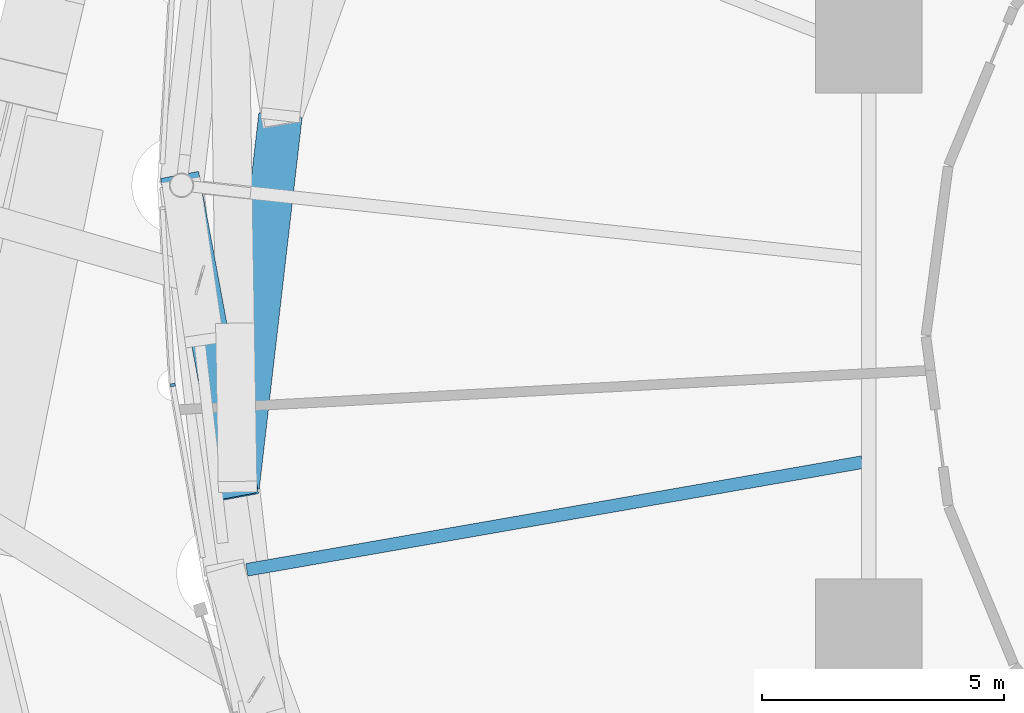
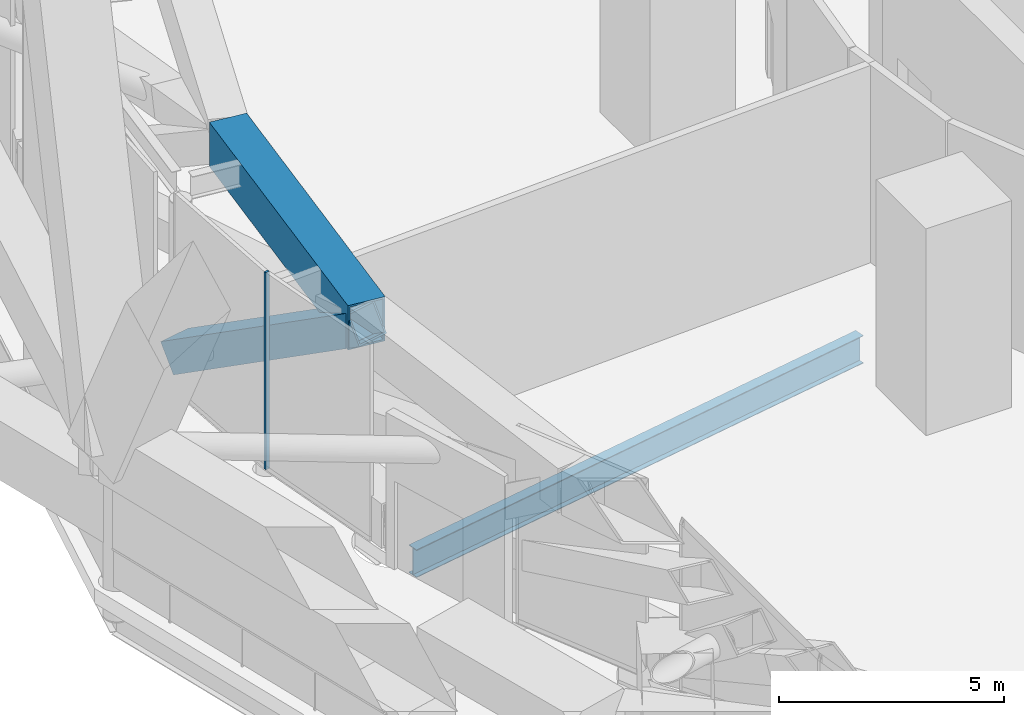
# One storey, part 16 of 65: 3 beams, 1 member, 1 element without a shape of its own.
"""IFC4 building model written with IfcOpenShell, lengths in metres."""

import ifcopenshell
import ifcopenshell.guid

model = None  # the IFC model being written
_history = None  # IfcOwnerHistory: only IFC2X3 demands one
_inside = {}  # id of a spatial element -> (the spatial element, [elements in it])
_under = {}  # id of a project, library or spatial element -> (it, [spatial elements below it])
_declared = {}  # id of a project -> (the project, [libraries it declares])
_typed = {}  # id of a type object -> (the type object, [elements of that type])
_made_of = {}  # id of a material, layer set ... -> (it, [elements and type objects made of it])


def new_model(schema):
    """Start an empty IFC model of exactly this schema.

    Asked for "IFC4X3", IfcOpenShell would pick the latest addendum, in which some entities
    have other attributes; the version numbers below select the first issue.
    IFC2X3 requires an IfcOwnerHistory on every rooted entity: one is made here for all.
    """
    global model, _history
    if schema == "IFC4X3":
        model = ifcopenshell.file(schema_version=(4, 3, 0, 0))
    else:
        model = ifcopenshell.file(schema=schema)
    _inside.clear()
    _under.clear()
    _declared.clear()
    _typed.clear()
    _made_of.clear()
    _history = None
    if model.schema == "IFC2X3":
        org = make("IfcOrganization", Name="unknown")
        user = make(
            "IfcPersonAndOrganization",
            ThePerson=make("IfcPerson", FamilyName="unknown"),
            TheOrganization=org,
        )
        app = make(
            "IfcApplication",
            ApplicationDeveloper=org,
            Version="unknown",
            ApplicationFullName="unknown",
            ApplicationIdentifier="unknown",
        )
        _history = make(
            "IfcOwnerHistory",
            OwningUser=user,
            OwningApplication=app,
            ChangeAction="ADDED",
            CreationDate=0,
        )
    return model


def make(cls, **values):
    """One entity of the class cls with the attributes given. An attribute that is None is left unset."""
    return model.create_entity(
        cls, **{name: value for name, value in values.items() if value is not None}
    )


def rooted(cls, **values):
    """An entity with a GlobalId (a new one), such as an element, a storey or a relation."""
    return make(cls, GlobalId=ifcopenshell.guid.new(), OwnerHistory=_history, **values)


def si_unit(unit_type, name, prefix=None):
    """IfcSIUnit, for example si_unit("LENGTHUNIT", "METRE", prefix="MILLI")."""
    return make("IfcSIUnit", UnitType=unit_type, Prefix=prefix, Name=name)


def assignment(units):
    """IfcUnitAssignment: the units of a project."""
    return None if units is None else make("IfcUnitAssignment", Units=units)


def point(xyz):
    """IfcCartesianPoint."""
    return None if xyz is None else make("IfcCartesianPoint", Coordinates=xyz)


def direction(xyz):
    """IfcDirection."""
    return None if xyz is None else make("IfcDirection", DirectionRatios=xyz)


def frame(location, z_axis=None, x_axis=None):
    """IfcAxis2Placement3D, a coordinate frame: its origin and axes. An axis left out is left unset."""
    return make(
        "IfcAxis2Placement3D",
        Location=point(location),
        Axis=direction(z_axis),
        RefDirection=direction(x_axis),
    )


def frame_2d(location, x_axis=None):
    """IfcAxis2Placement2D, a coordinate frame in the plane: its origin and x axis."""
    return make(
        "IfcAxis2Placement2D", Location=point(location), RefDirection=direction(x_axis)
    )


def origin():
    """The frame at (0, 0, 0) with its axes left unset."""
    return frame((0.0, 0.0, 0.0))


def origin_2d():
    """The frame at (0, 0) in the plane with its x axis left unset."""
    return frame_2d((0.0, 0.0))


def place(relative_to, where):
    """IfcLocalPlacement: puts the frame where relative to a parent placement (None: the world)."""
    return make(
        "IfcLocalPlacement", PlacementRelTo=relative_to, RelativePlacement=where
    )


def context(
    kind, dimensions, precision=None, world=None, true_north=None, identifier=None
):
    """IfcGeometricRepresentationContext, for example the 3D "Model" context."""
    return make(
        "IfcGeometricRepresentationContext",
        ContextIdentifier=identifier,
        ContextType=kind,
        CoordinateSpaceDimension=dimensions,
        Precision=precision,
        WorldCoordinateSystem=world,
        TrueNorth=true_north,
    )


def subcontext(parent, identifier, kind, view, scale=None):
    """IfcGeometricRepresentationSubContext, for example "Body" below "Model"."""
    return make(
        "IfcGeometricRepresentationSubContext",
        ContextIdentifier=identifier,
        ContextType=kind,
        ParentContext=parent,
        TargetScale=scale,
        TargetView=view,
    )


def project(units=None, contexts=None):
    """IfcProject with its units and contexts."""
    return rooted(
        "IfcProject",
        Name="project",
        RepresentationContexts=contexts,
        UnitsInContext=assignment(units),
    )


def spatial(cls, under=None, at=None, **own):
    """A site, building, storey or space (cls), placed at a placement, below another one or the project."""
    s = rooted(cls, ObjectPlacement=at, **own)
    if under is not None:
        _under.setdefault(under.id(), (under, []))[1].append(s)
    return s


def profile(cls, at=None, kind="AREA", **sizes):
    """A parametric profile (cls). Its sizes go by their IFC names, for example OverallWidth=200.0."""
    return make(cls, ProfileType=kind, Position=at, **sizes)


def rectangle(**sizes):
    """IfcRectangleProfileDef."""
    return profile("IfcRectangleProfileDef", **sizes)


def hollow_rectangle(**sizes):
    """IfcRectangleHollowProfileDef."""
    return profile("IfcRectangleHollowProfileDef", **sizes)


def i_section(**sizes):
    """IfcIShapeProfileDef."""
    return profile("IfcIShapeProfileDef", **sizes)


def extrude(swept, where, along, depth):
    """IfcExtrudedAreaSolid: the profile swept, set in the frame where, extruded along a direction by depth."""
    return make(
        "IfcExtrudedAreaSolid",
        SweptArea=swept,
        Position=where,
        ExtrudedDirection=direction(along),
        Depth=depth,
    )


def shape(context_of_items, identifier, shape_type, items):
    """IfcShapeRepresentation: the items that make up one representation, for example the "Body"."""
    return make(
        "IfcShapeRepresentation",
        ContextOfItems=context_of_items,
        RepresentationIdentifier=identifier,
        RepresentationType=shape_type,
        Items=items,
    )


def material(Name=None, Category=None):
    """IfcMaterial."""
    return make("IfcMaterial", Name=Name, Category=Category)


def layer(
    of_material, thickness, ventilated=None, Name=None, Category=None, Priority=None
):
    """IfcMaterialLayer: one layer of a wall or slab, of a material (None: an air gap)."""
    return make(
        "IfcMaterialLayer",
        Material=of_material,
        LayerThickness=thickness,
        IsVentilated=ventilated,
        Name=Name,
        Category=Category,
        Priority=Priority,
    )


def layer_set(layers, Name=None):
    """IfcMaterialLayerSet."""
    return make("IfcMaterialLayerSet", MaterialLayers=layers, LayerSetName=Name)


def material_profile(
    of_material, cross_section, Name=None, Category=None, Priority=None
):
    """IfcMaterialProfile: a cross section and its material."""
    return make(
        "IfcMaterialProfile",
        Name=Name,
        Material=of_material,
        Profile=cross_section,
        Priority=Priority,
        Category=Category,
    )


def profile_set(profiles, Name=None, composite=None):
    """IfcMaterialProfileSet."""
    return make(
        "IfcMaterialProfileSet",
        Name=Name,
        MaterialProfiles=profiles,
        CompositeProfile=composite,
    )


def made_of(thing, what):
    """Note that an element or type object is made of a material, layer set ...; save() writes the relation."""
    if what is not None:
        _made_of.setdefault(what.id(), (what, []))[1].append(thing)
    return thing


def type_object(cls, material=None, **own):
    """A type object (cls), such as IfcWallType, which elements share."""
    return made_of(rooted(cls, **own), material)


def element(
    cls,
    number,
    at=None,
    inside=None,
    cuts=None,
    type_object=None,
    material=None,
    context=None,
    identifier="Body",
    shape_type=None,
    held_by="IfcProductDefinitionShape",
    body=None,
    shapes=None,
    **own,
):
    """One element of the class cls, such as IfcWall. Its Tag is "e" and its number.

    at: its placement. inside: the storey or other place that contains it. cuts: it is an
    opening in that element (IfcRelVoidsElement). A single representation is given by context,
    identifier, shape_type and body (its items); several are given by shapes. held_by: the class
    of the entity that holds the representations. save() writes the other relations.
    """
    e = rooted(cls, Tag="e%d" % number, ObjectPlacement=at, **own)
    if body is not None:
        shapes = [shape(context, identifier, shape_type, body)]
    if shapes is not None:
        e.Representation = make(held_by, Representations=shapes)
    if inside is not None:
        _inside.setdefault(inside.id(), (inside, []))[1].append(e)
    if cuts is not None:
        rooted(
            "IfcRelVoidsElement", RelatingBuildingElement=cuts, RelatedOpeningElement=e
        )
    if type_object is not None:
        _typed.setdefault(type_object.id(), (type_object, []))[1].append(e)
    return made_of(e, material)


def aggregate(whole, parts):
    """IfcRelAggregates: a whole, such as a stair, and the parts it consists of."""
    return rooted("IfcRelAggregates", RelatingObject=whole, RelatedObjects=parts)


def save(model, path):
    """Write the relations noted so far, then the file.

    IfcRelAggregates (storeys below a building ...), IfcRelContainedInSpatialStructure (elements
    in a storey), IfcRelDefinesByType, IfcRelAssociatesMaterial and IfcRelDeclares: one each for
    every whole, place, type object, material and project.
    """
    for whole, parts in _under.values():
        aggregate(whole, parts)
    for where, things in _inside.values():
        rooted(
            "IfcRelContainedInSpatialStructure",
            RelatedElements=things,
            RelatingStructure=where,
        )
    for kind, things in _typed.values():
        rooted("IfcRelDefinesByType", RelatedObjects=things, RelatingType=kind)
    for what, things in _made_of.values():
        rooted("IfcRelAssociatesMaterial", RelatedObjects=things, RelatingMaterial=what)
    for by, libraries in _declared.values():
        rooted("IfcRelDeclares", RelatingContext=by, RelatedDefinitions=libraries)
    model.write(path)


model = new_model("IFC4")

# Units and contexts
model_context = context("Model", 3, precision=1e-05, world=origin(), true_north=direction((0.0, 1.0)))
body_context = subcontext(model_context, "Body", "Model", "MODEL_VIEW")
ifc_project = project(units=[si_unit("LENGTHUNIT", "METRE"), si_unit("AREAUNIT", "SQUARE_METRE"), si_unit("VOLUMEUNIT", "CUBIC_METRE"), si_unit("PLANEANGLEUNIT", "RADIAN"), si_unit("MASSUNIT", "GRAM", prefix="KILO")], contexts=[model_context])

# Site, building, storey
site_placement = place(None, origin())
site = spatial("IfcSite", under=ifc_project, at=site_placement, CompositionType="ELEMENT")
building_placement = place(site_placement, origin())
building = spatial("IfcBuilding", under=site, at=building_placement, Name="Nagisa Residences", CompositionType="ELEMENT")
storey_placement = place(building_placement, frame((0.0, 0.0, 114.0)))
storey = spatial("IfcBuildingStorey", under=building, at=storey_placement, Name="L28", CompositionType="ELEMENT", Elevation=114.0)

# Beams
ifc_material_1 = material(Name="Steel ASTM A572 Gr 50", Category="steel")
ifc_material_profile_1 = material_profile(ifc_material_1, hollow_rectangle(XDim=0.89990234375, YDim=1.199951171875, WallThickness=0.050048828125, at=origin_2d()), Name="BX 900x1200x50")
ifc_profile_set_1 = profile_set([ifc_material_profile_1], Name="Steel ASTM A572 Gr 50")
beam_type_1 = type_object("IfcBeamType", Name="Belt chord 2 BX 900x1200x50", PredefinedType="BEAM", material=ifc_profile_set_1)
beam_1_placement = place(storey_placement, frame((-26.947998046875, 4.56787109375, 4.739990234375), z_axis=(-0.114645667897, -0.993406447952, 0.0), x_axis=(0.993406447952, -0.114645667897, 0.0)))
element("IfcBeam", 1, at=beam_1_placement, inside=storey, type_object=beam_type_1, Name="beam:L28:bt2t12", PredefinedType="BEAM", context=body_context, shape_type="SweptSolid", body=[
    extrude(hollow_rectangle(XDim=0.89990234375, YDim=1.199951171875, WallThickness=0.050048828125, at=origin_2d()), origin(), (0.0, 0.0, 1.0), 7.736572265625),
])
ifc_material_2 = material(Name="Steel ASTM A572 Gr 50", Category="steel")
ifc_material_profile_2 = material_profile(ifc_material_2, hollow_rectangle(XDim=0.800048828125, YDim=0.800048828125, WallThickness=0.044921875, at=origin_2d()), Name="BX 800x800x45")
ifc_profile_set_2 = profile_set([ifc_material_profile_2], Name="Steel ASTM A572 Gr 50")
beam_type_2 = type_object("IfcBeamType", Name="Belt diagonal 2 BX 800x800x45", PredefinedType="BEAM", material=ifc_profile_set_2)
beam_2_placement = place(storey_placement, frame((-28.9951171875, 3.11767578125, 0.60009765625), z_axis=(0.153177755737, -0.823265968336, 0.546598317348), x_axis=(0.983127473753, 0.182921760191, 0.0)))
element("IfcBeam", 2, at=beam_2_placement, inside=storey, type_object=beam_type_2, Name="beam:L28:bt2da13", PredefinedType="BEAM", context=body_context, shape_type="SweptSolid", body=[
    extrude(hollow_rectangle(XDim=0.800048828125, YDim=0.800048828125, WallThickness=0.044921875, at=origin_2d()), origin(), (0.0, 0.0, 1.0), 7.573974609375),
])

# Curtain wall, member
ifc_material_3 = material(Name="Aluminium curtain wall system", Category="aluminium")
ifc_layer = layer(ifc_material_3, 0.159912109375)
ifc_layer_set = layer_set([ifc_layer], Name="CW5 CURTAIN WALL")
curtain_wall_type = type_object("IfcCurtainWallType", Name="CW5 CURTAIN WALL", PredefinedType="NOTDEFINED", material=ifc_layer_set)
curtain_wall_placement = place(storey_placement, origin())
curtain_wall = element("IfcCurtainWall", 3, at=curtain_wall_placement, inside=storey, type_object=curtain_wall_type, Name="cw:CW5:L28:25", PredefinedType="NOTDEFINED")
ifc_material_4 = material(Name="Aluminium", Category="aluminium")
ifc_material_profile_3 = material_profile(ifc_material_4, rectangle(XDim=0.10009765625, YDim=0.06005859375, at=origin_2d()), Name="CW5 MULLION 100x60")
ifc_profile_set_3 = profile_set([ifc_material_profile_3], Name="Aluminium")
member_type = type_object("IfcMemberType", Name="CW5 MULLION 100x60", PredefinedType="MULLION", material=ifc_profile_set_3)
member_placement = place(storey_placement, frame((-29.174072265625, -1.01171875, 0.0), z_axis=(0.0, 0.0, 1.0), x_axis=(0.985063604377, 0.172190868898, 0.0)))
member = element("IfcMember", 4, at=member_placement, type_object=member_type, Name="CW5 mullion", PredefinedType="MULLION", context=body_context, shape_type="SweptSolid", body=[
    extrude(rectangle(XDim=0.10009765625, YDim=0.06005859375, at=origin_2d()), origin(), (0.0, 0.0, 1.0), 5.340087890625),
])
aggregate(curtain_wall, [member])

# Beam
ifc_material_5 = material(Name="Steel ASTM A572 Gr 50", Category="steel")
ifc_material_profile_4 = material_profile(ifc_material_5, i_section(OverallWidth=0.264892578125, OverallDepth=0.7529296875, WebThickness=0.01318359375, FlangeThickness=0.01708984375, at=origin_2d()), Name="W760x147")
ifc_profile_set_4 = profile_set([ifc_material_profile_4], Name="Steel ASTM A572 Gr 50")
beam_type_3 = type_object("IfcBeamType", Name="Radial beam W760x147", PredefinedType="BEAM", material=ifc_profile_set_4)
beam_3_placement = place(storey_placement, frame((-27.64404296875, -4.83544921875, -0.7265625), z_axis=(0.985042253669, 0.172312966681, 0.0), x_axis=(-0.172312966681, 0.985042253669, 0.0)))
element("IfcBeam", 5, at=beam_3_placement, inside=storey, type_object=beam_type_3, Name="beam:L28:rb14", PredefinedType="BEAM", context=body_context, shape_type="SweptSolid", body=[
    extrude(i_section(OverallWidth=0.264892578125, OverallDepth=0.7529296875, WebThickness=0.01318359375, FlangeThickness=0.01708984375, at=origin_2d()), origin(), (0.0, 0.0, 1.0), 12.923095703125),
])

save(model, "model.ifc")
